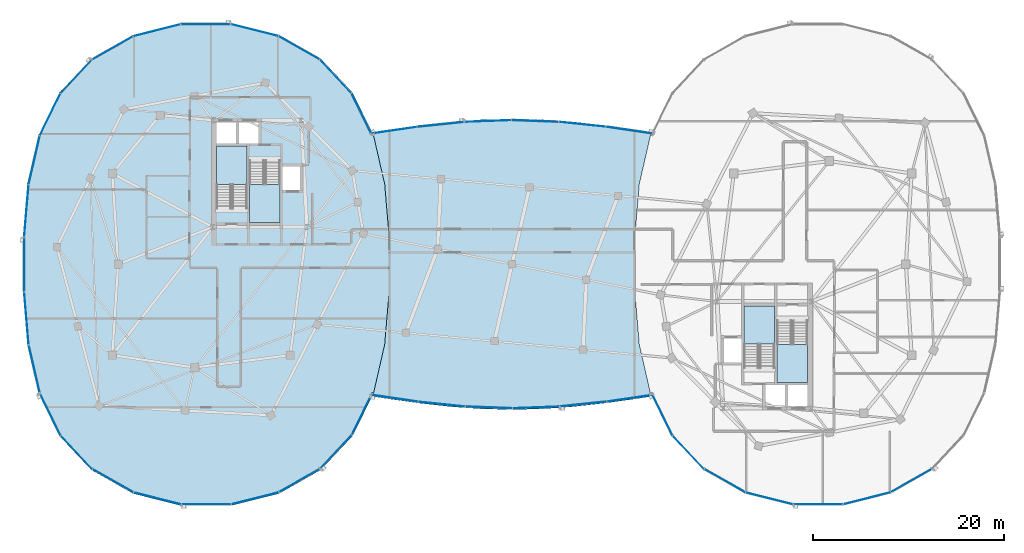
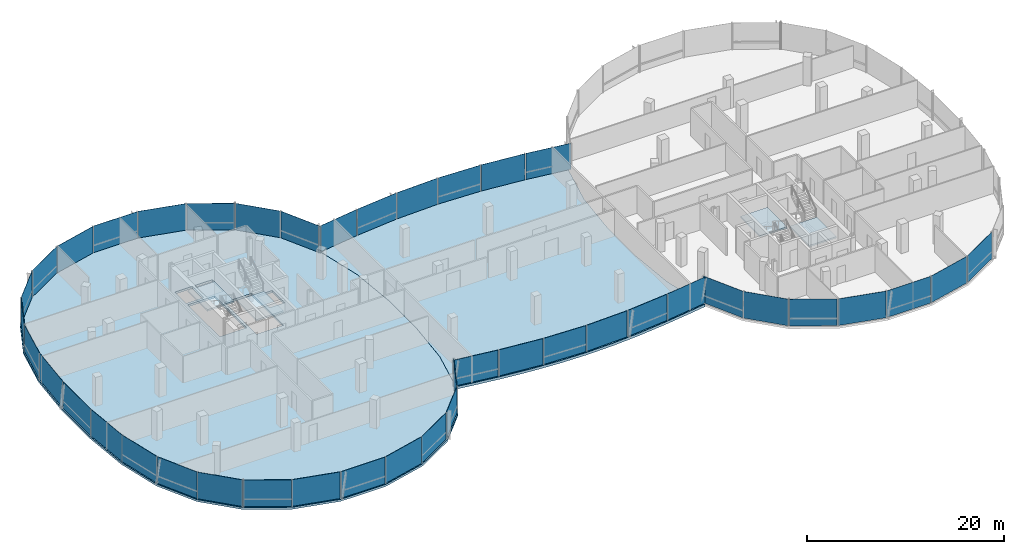
# One storey, part 12 of 26: 42 plates, 6 slabs, 11 elements without a shape of their own.
"""IFC4 building model written with IfcOpenShell, lengths in metres."""

import ifcopenshell
import ifcopenshell.guid

model = None  # the IFC model being written
_history = None  # IfcOwnerHistory: only IFC2X3 demands one
_inside = {}  # id of a spatial element -> (the spatial element, [elements in it])
_under = {}  # id of a project, library or spatial element -> (it, [spatial elements below it])
_declared = {}  # id of a project -> (the project, [libraries it declares])
_typed = {}  # id of a type object -> (the type object, [elements of that type])
_made_of = {}  # id of a material, layer set ... -> (it, [elements and type objects made of it])


def new_model(schema):
    """Start an empty IFC model of exactly this schema.

    Asked for "IFC4X3", IfcOpenShell would pick the latest addendum, in which some entities
    have other attributes; the version numbers below select the first issue.
    IFC2X3 requires an IfcOwnerHistory on every rooted entity: one is made here for all.
    """
    global model, _history
    if schema == "IFC4X3":
        model = ifcopenshell.file(schema_version=(4, 3, 0, 0))
    else:
        model = ifcopenshell.file(schema=schema)
    _inside.clear()
    _under.clear()
    _declared.clear()
    _typed.clear()
    _made_of.clear()
    _history = None
    if model.schema == "IFC2X3":
        org = make("IfcOrganization", Name="unknown")
        user = make(
            "IfcPersonAndOrganization",
            ThePerson=make("IfcPerson", FamilyName="unknown"),
            TheOrganization=org,
        )
        app = make(
            "IfcApplication",
            ApplicationDeveloper=org,
            Version="unknown",
            ApplicationFullName="unknown",
            ApplicationIdentifier="unknown",
        )
        _history = make(
            "IfcOwnerHistory",
            OwningUser=user,
            OwningApplication=app,
            ChangeAction="ADDED",
            CreationDate=0,
        )
    return model


def make(cls, **values):
    """One entity of the class cls with the attributes given. An attribute that is None is left unset."""
    return model.create_entity(
        cls, **{name: value for name, value in values.items() if value is not None}
    )


def rooted(cls, **values):
    """An entity with a GlobalId (a new one), such as an element, a storey or a relation."""
    return make(cls, GlobalId=ifcopenshell.guid.new(), OwnerHistory=_history, **values)


def si_unit(unit_type, name, prefix=None):
    """IfcSIUnit, for example si_unit("LENGTHUNIT", "METRE", prefix="MILLI")."""
    return make("IfcSIUnit", UnitType=unit_type, Prefix=prefix, Name=name)


def assignment(units):
    """IfcUnitAssignment: the units of a project."""
    return None if units is None else make("IfcUnitAssignment", Units=units)


def point(xyz):
    """IfcCartesianPoint."""
    return None if xyz is None else make("IfcCartesianPoint", Coordinates=xyz)


def direction(xyz):
    """IfcDirection."""
    return None if xyz is None else make("IfcDirection", DirectionRatios=xyz)


def frame(location, z_axis=None, x_axis=None):
    """IfcAxis2Placement3D, a coordinate frame: its origin and axes. An axis left out is left unset."""
    return make(
        "IfcAxis2Placement3D",
        Location=point(location),
        Axis=direction(z_axis),
        RefDirection=direction(x_axis),
    )


def frame_2d(location, x_axis=None):
    """IfcAxis2Placement2D, a coordinate frame in the plane: its origin and x axis."""
    return make(
        "IfcAxis2Placement2D", Location=point(location), RefDirection=direction(x_axis)
    )


def origin():
    """The frame at (0, 0, 0) with its axes left unset."""
    return frame((0.0, 0.0, 0.0))


def origin_2d():
    """The frame at (0, 0) in the plane with its x axis left unset."""
    return frame_2d((0.0, 0.0))


def place(relative_to, where):
    """IfcLocalPlacement: puts the frame where relative to a parent placement (None: the world)."""
    return make(
        "IfcLocalPlacement", PlacementRelTo=relative_to, RelativePlacement=where
    )


def context(
    kind, dimensions, precision=None, world=None, true_north=None, identifier=None
):
    """IfcGeometricRepresentationContext, for example the 3D "Model" context."""
    return make(
        "IfcGeometricRepresentationContext",
        ContextIdentifier=identifier,
        ContextType=kind,
        CoordinateSpaceDimension=dimensions,
        Precision=precision,
        WorldCoordinateSystem=world,
        TrueNorth=true_north,
    )


def subcontext(parent, identifier, kind, view, scale=None):
    """IfcGeometricRepresentationSubContext, for example "Body" below "Model"."""
    return make(
        "IfcGeometricRepresentationSubContext",
        ContextIdentifier=identifier,
        ContextType=kind,
        ParentContext=parent,
        TargetScale=scale,
        TargetView=view,
    )


def project(units=None, contexts=None):
    """IfcProject with its units and contexts."""
    return rooted(
        "IfcProject",
        Name="project",
        RepresentationContexts=contexts,
        UnitsInContext=assignment(units),
    )


def spatial(cls, under=None, at=None, **own):
    """A site, building, storey or space (cls), placed at a placement, below another one or the project."""
    s = rooted(cls, ObjectPlacement=at, **own)
    if under is not None:
        _under.setdefault(under.id(), (under, []))[1].append(s)
    return s


def polyline(points):
    """IfcPolyline through the points."""
    return make("IfcPolyline", Points=[point(p) for p in points])


def profile(cls, at=None, kind="AREA", **sizes):
    """A parametric profile (cls). Its sizes go by their IFC names, for example OverallWidth=200.0."""
    return make(cls, ProfileType=kind, Position=at, **sizes)


def rectangle(**sizes):
    """IfcRectangleProfileDef."""
    return profile("IfcRectangleProfileDef", **sizes)


def outline(outer, holes=None, kind="AREA"):
    """IfcArbitraryClosedProfileDef: a profile drawn as a closed curve; with holes, ...WithVoids."""
    if holes is None:
        return make("IfcArbitraryClosedProfileDef", ProfileType=kind, OuterCurve=outer)
    return make(
        "IfcArbitraryProfileDefWithVoids",
        ProfileType=kind,
        OuterCurve=outer,
        InnerCurves=holes,
    )


def extrude(swept, where, along, depth):
    """IfcExtrudedAreaSolid: the profile swept, set in the frame where, extruded along a direction by depth."""
    return make(
        "IfcExtrudedAreaSolid",
        SweptArea=swept,
        Position=where,
        ExtrudedDirection=direction(along),
        Depth=depth,
    )


def shape(context_of_items, identifier, shape_type, items):
    """IfcShapeRepresentation: the items that make up one representation, for example the "Body"."""
    return make(
        "IfcShapeRepresentation",
        ContextOfItems=context_of_items,
        RepresentationIdentifier=identifier,
        RepresentationType=shape_type,
        Items=items,
    )


def material(Name=None, Category=None):
    """IfcMaterial."""
    return make("IfcMaterial", Name=Name, Category=Category)


def layer(
    of_material, thickness, ventilated=None, Name=None, Category=None, Priority=None
):
    """IfcMaterialLayer: one layer of a wall or slab, of a material (None: an air gap)."""
    return make(
        "IfcMaterialLayer",
        Material=of_material,
        LayerThickness=thickness,
        IsVentilated=ventilated,
        Name=Name,
        Category=Category,
        Priority=Priority,
    )


def layer_set(layers, Name=None):
    """IfcMaterialLayerSet."""
    return make("IfcMaterialLayerSet", MaterialLayers=layers, LayerSetName=Name)


def made_of(thing, what):
    """Note that an element or type object is made of a material, layer set ...; save() writes the relation."""
    if what is not None:
        _made_of.setdefault(what.id(), (what, []))[1].append(thing)
    return thing


def type_object(cls, material=None, **own):
    """A type object (cls), such as IfcWallType, which elements share."""
    return made_of(rooted(cls, **own), material)


def element(
    cls,
    number,
    at=None,
    inside=None,
    cuts=None,
    type_object=None,
    material=None,
    context=None,
    identifier="Body",
    shape_type=None,
    held_by="IfcProductDefinitionShape",
    body=None,
    shapes=None,
    **own,
):
    """One element of the class cls, such as IfcWall. Its Tag is "e" and its number.

    at: its placement. inside: the storey or other place that contains it. cuts: it is an
    opening in that element (IfcRelVoidsElement). A single representation is given by context,
    identifier, shape_type and body (its items); several are given by shapes. held_by: the class
    of the entity that holds the representations. save() writes the other relations.
    """
    e = rooted(cls, Tag="e%d" % number, ObjectPlacement=at, **own)
    if body is not None:
        shapes = [shape(context, identifier, shape_type, body)]
    if shapes is not None:
        e.Representation = make(held_by, Representations=shapes)
    if inside is not None:
        _inside.setdefault(inside.id(), (inside, []))[1].append(e)
    if cuts is not None:
        rooted(
            "IfcRelVoidsElement", RelatingBuildingElement=cuts, RelatedOpeningElement=e
        )
    if type_object is not None:
        _typed.setdefault(type_object.id(), (type_object, []))[1].append(e)
    return made_of(e, material)


def aggregate(whole, parts):
    """IfcRelAggregates: a whole, such as a stair, and the parts it consists of."""
    return rooted("IfcRelAggregates", RelatingObject=whole, RelatedObjects=parts)


def save(model, path):
    """Write the relations noted so far, then the file.

    IfcRelAggregates (storeys below a building ...), IfcRelContainedInSpatialStructure (elements
    in a storey), IfcRelDefinesByType, IfcRelAssociatesMaterial and IfcRelDeclares: one each for
    every whole, place, type object, material and project.
    """
    for whole, parts in _under.values():
        aggregate(whole, parts)
    for where, things in _inside.values():
        rooted(
            "IfcRelContainedInSpatialStructure",
            RelatedElements=things,
            RelatingStructure=where,
        )
    for kind, things in _typed.values():
        rooted("IfcRelDefinesByType", RelatedObjects=things, RelatingType=kind)
    for what, things in _made_of.values():
        rooted("IfcRelAssociatesMaterial", RelatedObjects=things, RelatingMaterial=what)
    for by, libraries in _declared.values():
        rooted("IfcRelDeclares", RelatingContext=by, RelatedDefinitions=libraries)
    model.write(path)


model = new_model("IFC4")

# Units and contexts
model_context = context("Model", 3, precision=1e-05, world=origin(), true_north=direction((0.0, 1.0)))
body_context = subcontext(model_context, "Body", "Model", "MODEL_VIEW")
ifc_project = project(units=[si_unit("LENGTHUNIT", "METRE"), si_unit("AREAUNIT", "SQUARE_METRE"), si_unit("VOLUMEUNIT", "CUBIC_METRE"), si_unit("PLANEANGLEUNIT", "RADIAN"), si_unit("MASSUNIT", "GRAM", prefix="KILO"), si_unit("THERMODYNAMICTEMPERATUREUNIT", "KELVIN"), si_unit("POWERUNIT", "WATT")], contexts=[model_context])

# Site, building, storey
site_placement = place(None, origin())
site = spatial("IfcSite", under=ifc_project, at=site_placement, CompositionType="ELEMENT")
building_placement = place(site_placement, origin())
building = spatial("IfcBuilding", under=site, at=building_placement, Name="Cundina Bronze Exchange", CompositionType="ELEMENT")
storey_placement = place(building_placement, frame((0.0, 0.0, 261.199951171875)))
storey = spatial("IfcBuildingStorey", under=building, at=storey_placement, Name="L69", CompositionType="ELEMENT", Elevation=261.199951171875)

# Curtain wall, plates
ifc_material_1 = material(Name="Anodised Bronze Aluminium 6063-T6", Category="aluminium")
curtain_wall_type = type_object("IfcCurtainWallType", Name="CWS-SKG-BRG", PredefinedType="NOTDEFINED", material=ifc_material_1)
curtain_wall_1_placement = place(storey_placement, origin())
curtain_wall_1 = element("IfcCurtainWall", 1, at=curtain_wall_1_placement, inside=storey, type_object=curtain_wall_type, Name="L69 CW-06 Curtain Wall Run CWR-L69-W1", PredefinedType="NOTDEFINED")
ifc_material_2 = material(Name="Heat-Strengthened Solar-Control Bronze Safety Glass 28mm", Category="glass")
ifc_layer_1 = layer(ifc_material_2, 0.028076171875, Name="Heat-Strengthened Solar-Control Bronze Safety Glass 28mm", Category="glass")
ifc_layer_set_1 = layer_set([ifc_layer_1], Name="Heat-Strengthened Solar-Control Bronze Safety Glass 28mm")
plate_type_1 = type_object("IfcPlateType", Name="PLT-GLZ-VIS28", PredefinedType="CURTAIN_PANEL", material=ifc_layer_set_1)
plate_1_placement = place(storey_placement, frame((-18.431884765625, 19.64501953125, 0.02001953125), z_axis=(0.0, 0.0, 1.0), x_axis=(-0.684343512797, 0.72915976061, 0.0)))
plate_1 = element("IfcPlate", 2, at=plate_1_placement, type_object=plate_type_1, Name="CW-06 Glazed Panel 2", PredefinedType="CURTAIN_PANEL", context=body_context, shape_type="SweptSolid", body=[
    extrude(rectangle(XDim=4.773193359375, YDim=0.028076171875, at=origin_2d()), origin(), (0.0, 0.0, 1.0), 3.300048828125),
])
plate_2_placement = place(storey_placement, frame((-22.23828125, 22.6279296875, 0.02001953125), z_axis=(0.0, 0.0, 1.0), x_axis=(-0.869572506985, 0.493805280547, 0.0)))
plate_2 = element("IfcPlate", 3, at=plate_2_placement, type_object=plate_type_1, Name="CW-06 Glazed Panel 3", PredefinedType="CURTAIN_PANEL", context=body_context, shape_type="SweptSolid", body=[
    extrude(rectangle(XDim=4.907958984375, YDim=0.028076171875, at=origin_2d()), origin(), (0.0, 0.0, 1.0), 3.300048828125),
])
plate_3_placement = place(storey_placement, frame((-26.890625, 24.4814453125, 0.02001953125), z_axis=(0.0, 0.0, 1.0), x_axis=(-0.969731542251, 0.244173577528, 0.0)))
plate_3 = element("IfcPlate", 4, at=plate_3_placement, type_object=plate_type_1, Name="CW-06 Glazed Panel 4", PredefinedType="CURTAIN_PANEL", context=body_context, shape_type="SweptSolid", body=[
    extrude(rectangle(XDim=5.0908203125, YDim=0.028076171875, at=origin_2d()), origin(), (0.0, 0.0, 1.0), 3.300048828125),
])
plate_4_placement = place(storey_placement, frame((-32.0, 25.110107421875, 0.02001953125), z_axis=(0.0, 0.0, 1.0), x_axis=(-1.0, 0.0, 0.0)))
plate_4 = element("IfcPlate", 5, at=plate_4_placement, type_object=plate_type_1, Name="CW-06 Glazed Panel 5", PredefinedType="CURTAIN_PANEL", context=body_context, shape_type="SweptSolid", body=[
    extrude(rectangle(XDim=5.16796875, YDim=0.028076171875, at=origin_2d()), origin(), (0.0, 0.0, 1.0), 3.300048828125),
])
plate_5_placement = place(storey_placement, frame((-41.76171875, 22.6279296875, 0.02001953125), z_axis=(0.0, 0.0, 1.0), x_axis=(-0.869572506985, -0.493805280547, 0.0)))
plate_5 = element("IfcPlate", 6, at=plate_5_placement, type_object=plate_type_1, Name="CW-06 Glazed Panel 7", PredefinedType="CURTAIN_PANEL", context=body_context, shape_type="SweptSolid", body=[
    extrude(rectangle(XDim=4.907958984375, YDim=0.028076171875, at=origin_2d()), origin(), (0.0, 0.0, 1.0), 3.300048828125),
])

curtain_wall_2_placement = place(storey_placement, origin())
curtain_wall_2 = element("IfcCurtainWall", 7, at=curtain_wall_2_placement, inside=storey, type_object=curtain_wall_type, Name="L69 CW-06 Curtain Wall Run CWR-L69-W2", PredefinedType="NOTDEFINED")
plate_6_placement = place(storey_placement, frame((-45.568115234375, 19.64501953125, 0.02001953125), z_axis=(0.0, 0.0, 1.0), x_axis=(-0.684343512797, -0.72915976061, 0.0)))
plate_6 = element("IfcPlate", 8, at=plate_6_placement, type_object=plate_type_1, Name="CW-06 Glazed Panel 1", PredefinedType="CURTAIN_PANEL", context=body_context, shape_type="SweptSolid", body=[
    extrude(rectangle(XDim=4.773193359375, YDim=0.028076171875, at=origin_2d()), origin(), (0.0, 0.0, 1.0), 3.300048828125),
])
plate_7_placement = place(storey_placement, frame((-48.30126953125, 15.68017578125, 0.02001953125), z_axis=(0.0, 0.0, 1.0), x_axis=(-0.440503330345, -0.897750976582, 0.0)))
plate_7 = element("IfcPlate", 9, at=plate_7_placement, type_object=plate_type_1, Name="CW-06 Glazed Panel 2", PredefinedType="CURTAIN_PANEL", context=body_context, shape_type="SweptSolid", body=[
    extrude(rectangle(XDim=4.863525390625, YDim=0.028076171875, at=origin_2d()), origin(), (0.0, 0.0, 1.0), 3.300048828125),
])
plate_8_placement = place(storey_placement, frame((-49.96923828125, 10.922607421875, 0.02001953125), z_axis=(0.0, 0.0, 1.0), x_axis=(-0.223284141459, -0.974753400698, 0.0)))
plate_8 = element("IfcPlate", 10, at=plate_8_placement, type_object=plate_type_1, Name="CW-06 Glazed Panel 3", PredefinedType="CURTAIN_PANEL", context=body_context, shape_type="SweptSolid", body=[
    extrude(rectangle(XDim=5.167724609375, YDim=0.028076171875, at=origin_2d()), origin(), (0.0, 0.0, 1.0), 3.300048828125),
])
plate_9_placement = place(storey_placement, frame((-50.78662109375, 5.605712890625, 0.02001953125), z_axis=(0.0, 0.0, 1.0), x_axis=(-0.083747411454, -0.996487015006, 0.0)))
plate_9 = element("IfcPlate", 11, at=plate_9_placement, type_object=plate_type_1, Name="CW-06 Glazed Panel 4", PredefinedType="CURTAIN_PANEL", context=body_context, shape_type="SweptSolid", body=[
    extrude(rectangle(XDim=5.474609375, YDim=0.028076171875, at=origin_2d()), origin(), (0.0, 0.0, 1.0), 3.300048828125),
])
plate_10_placement = place(storey_placement, frame((-50.78662109375, -5.605712890625, 0.02001953125), z_axis=(0.0, 0.0, 1.0), x_axis=(0.083747411454, -0.996487015006, 0.0)))
plate_10 = element("IfcPlate", 12, at=plate_10_placement, type_object=plate_type_1, Name="CW-06 Glazed Panel 6", PredefinedType="CURTAIN_PANEL", context=body_context, shape_type="SweptSolid", body=[
    extrude(rectangle(XDim=5.474609375, YDim=0.028076171875, at=origin_2d()), origin(), (0.0, 0.0, 1.0), 3.300048828125),
])
plate_11_placement = place(storey_placement, frame((-49.96923828125, -10.922607421875, 0.02001953125), z_axis=(0.0, 0.0, 1.0), x_axis=(0.223284141459, -0.974753400698, 0.0)))
plate_11 = element("IfcPlate", 13, at=plate_11_placement, type_object=plate_type_1, Name="CW-06 Glazed Panel 7", PredefinedType="CURTAIN_PANEL", context=body_context, shape_type="SweptSolid", body=[
    extrude(rectangle(XDim=5.167724609375, YDim=0.028076171875, at=origin_2d()), origin(), (0.0, 0.0, 1.0), 3.300048828125),
])

curtain_wall_3_placement = place(storey_placement, origin())
curtain_wall_3 = element("IfcCurtainWall", 14, at=curtain_wall_3_placement, inside=storey, type_object=curtain_wall_type, Name="L69 CW-06 Curtain Wall Run CWR-L69-W3", PredefinedType="NOTDEFINED")
plate_12_placement = place(storey_placement, frame((-48.30126953125, -15.68017578125, 0.02001953125), z_axis=(0.0, 0.0, 1.0), x_axis=(0.440503330345, -0.897750976582, 0.0)))
plate_12 = element("IfcPlate", 15, at=plate_12_placement, type_object=plate_type_1, Name="CW-06 Glazed Panel 1", PredefinedType="CURTAIN_PANEL", context=body_context, shape_type="SweptSolid", body=[
    extrude(rectangle(XDim=4.863525390625, YDim=0.028076171875, at=origin_2d()), origin(), (0.0, 0.0, 1.0), 3.300048828125),
])
plate_13_placement = place(storey_placement, frame((-45.568115234375, -19.64501953125, 0.02001953125), z_axis=(0.0, 0.0, 1.0), x_axis=(0.684343512797, -0.72915976061, 0.0)))
plate_13 = element("IfcPlate", 16, at=plate_13_placement, type_object=plate_type_1, Name="CW-06 Glazed Panel 2", PredefinedType="CURTAIN_PANEL", context=body_context, shape_type="SweptSolid", body=[
    extrude(rectangle(XDim=4.773193359375, YDim=0.028076171875, at=origin_2d()), origin(), (0.0, 0.0, 1.0), 3.300048828125),
])
plate_14_placement = place(storey_placement, frame((-41.76171875, -22.6279296875, 0.02001953125), z_axis=(0.0, 0.0, 1.0), x_axis=(0.869572506985, -0.493805280547, 0.0)))
plate_14 = element("IfcPlate", 17, at=plate_14_placement, type_object=plate_type_1, Name="CW-06 Glazed Panel 3", PredefinedType="CURTAIN_PANEL", context=body_context, shape_type="SweptSolid", body=[
    extrude(rectangle(XDim=4.907958984375, YDim=0.028076171875, at=origin_2d()), origin(), (0.0, 0.0, 1.0), 3.300048828125),
])
plate_15_placement = place(storey_placement, frame((-32.0, -25.110107421875, 0.02001953125), z_axis=(0.0, 0.0, 1.0), x_axis=(1.0, 0.0, 0.0)))
plate_15 = element("IfcPlate", 18, at=plate_15_placement, type_object=plate_type_1, Name="CW-06 Glazed Panel 5", PredefinedType="CURTAIN_PANEL", context=body_context, shape_type="SweptSolid", body=[
    extrude(rectangle(XDim=5.16796875, YDim=0.028076171875, at=origin_2d()), origin(), (0.0, 0.0, 1.0), 3.300048828125),
])
plate_16_placement = place(storey_placement, frame((-26.890625, -24.4814453125, 0.02001953125), z_axis=(0.0, 0.0, 1.0), x_axis=(0.969731542251, 0.244173577528, 0.0)))
plate_16 = element("IfcPlate", 19, at=plate_16_placement, type_object=plate_type_1, Name="CW-06 Glazed Panel 6", PredefinedType="CURTAIN_PANEL", context=body_context, shape_type="SweptSolid", body=[
    extrude(rectangle(XDim=5.0908203125, YDim=0.028076171875, at=origin_2d()), origin(), (0.0, 0.0, 1.0), 3.300048828125),
])
plate_17_placement = place(storey_placement, frame((-22.23828125, -22.6279296875, 0.02001953125), z_axis=(0.0, 0.0, 1.0), x_axis=(0.869572506985, 0.493805280547, 0.0)))
plate_17 = element("IfcPlate", 20, at=plate_17_placement, type_object=plate_type_1, Name="CW-06 Glazed Panel 7", PredefinedType="CURTAIN_PANEL", context=body_context, shape_type="SweptSolid", body=[
    extrude(rectangle(XDim=4.907958984375, YDim=0.028076171875, at=origin_2d()), origin(), (0.0, 0.0, 1.0), 3.300048828125),
])

curtain_wall_4_placement = place(storey_placement, origin())
curtain_wall_4 = element("IfcCurtainWall", 21, at=curtain_wall_4_placement, inside=storey, type_object=curtain_wall_type, Name="L69 CW-06 Curtain Wall Run CWR-L69-W4", PredefinedType="NOTDEFINED")
plate_18_placement = place(storey_placement, frame((-18.431884765625, -19.64501953125, 0.02001953125), z_axis=(0.0, 0.0, 1.0), x_axis=(0.684343512797, 0.72915976061, 0.0)))
plate_18 = element("IfcPlate", 22, at=plate_18_placement, type_object=plate_type_1, Name="CW-06 Glazed Panel 1", PredefinedType="CURTAIN_PANEL", context=body_context, shape_type="SweptSolid", body=[
    extrude(rectangle(XDim=4.773193359375, YDim=0.028076171875, at=origin_2d()), origin(), (0.0, 0.0, 1.0), 3.300048828125),
])
plate_19_placement = place(storey_placement, frame((-15.69873046875, -15.68017578125, 0.02001953125), z_axis=(0.0, 0.0, 1.0), x_axis=(0.440503330345, 0.897750976582, 0.0)))
plate_19 = element("IfcPlate", 23, at=plate_19_placement, type_object=plate_type_1, Name="CW-06 Glazed Panel 2", PredefinedType="CURTAIN_PANEL", context=body_context, shape_type="SweptSolid", body=[
    extrude(rectangle(XDim=4.863525390625, YDim=0.028076171875, at=origin_2d()), origin(), (0.0, 0.0, 1.0), 3.300048828125),
])
aggregate(curtain_wall_4, [plate_18, plate_19])

curtain_wall_5_placement = place(storey_placement, origin())
curtain_wall_5 = element("IfcCurtainWall", 24, at=curtain_wall_5_placement, inside=storey, type_object=curtain_wall_type, Name="L69 CW-06 Curtain Wall Run CWR-L69-E3", PredefinedType="NOTDEFINED")
plate_20_placement = place(storey_placement, frame((15.69873046875, -15.68017578125, 0.02001953125), z_axis=(0.0, 0.0, 1.0), x_axis=(0.440503330345, -0.897750976582, 0.0)))
plate_20 = element("IfcPlate", 25, at=plate_20_placement, type_object=plate_type_1, Name="CW-06 Glazed Panel 1", PredefinedType="CURTAIN_PANEL", context=body_context, shape_type="SweptSolid", body=[
    extrude(rectangle(XDim=4.863525390625, YDim=0.028076171875, at=origin_2d()), origin(), (0.0, 0.0, 1.0), 3.300048828125),
])
plate_21_placement = place(storey_placement, frame((18.431884765625, -19.64501953125, 0.02001953125), z_axis=(0.0, 0.0, 1.0), x_axis=(0.684343512797, -0.72915976061, 0.0)))
plate_21 = element("IfcPlate", 26, at=plate_21_placement, type_object=plate_type_1, Name="CW-06 Glazed Panel 2", PredefinedType="CURTAIN_PANEL", context=body_context, shape_type="SweptSolid", body=[
    extrude(rectangle(XDim=4.773193359375, YDim=0.028076171875, at=origin_2d()), origin(), (0.0, 0.0, 1.0), 3.300048828125),
])
plate_22_placement = place(storey_placement, frame((22.23828125, -22.6279296875, 0.02001953125), z_axis=(0.0, 0.0, 1.0), x_axis=(0.869572506985, -0.493805280547, 0.0)))
plate_22 = element("IfcPlate", 27, at=plate_22_placement, type_object=plate_type_1, Name="CW-06 Glazed Panel 3", PredefinedType="CURTAIN_PANEL", context=body_context, shape_type="SweptSolid", body=[
    extrude(rectangle(XDim=4.907958984375, YDim=0.028076171875, at=origin_2d()), origin(), (0.0, 0.0, 1.0), 3.300048828125),
])
plate_23_placement = place(storey_placement, frame((32.0, -25.110107421875, 0.02001953125), z_axis=(0.0, 0.0, 1.0), x_axis=(1.0, 0.0, 0.0)))
plate_23 = element("IfcPlate", 28, at=plate_23_placement, type_object=plate_type_1, Name="CW-06 Glazed Panel 5", PredefinedType="CURTAIN_PANEL", context=body_context, shape_type="SweptSolid", body=[
    extrude(rectangle(XDim=5.16796875, YDim=0.028076171875, at=origin_2d()), origin(), (0.0, 0.0, 1.0), 3.300048828125),
])
plate_24_placement = place(storey_placement, frame((37.109375, -24.4814453125, 0.02001953125), z_axis=(0.0, 0.0, 1.0), x_axis=(0.969731542251, 0.244173577528, 0.0)))
plate_24 = element("IfcPlate", 29, at=plate_24_placement, type_object=plate_type_1, Name="CW-06 Glazed Panel 6", PredefinedType="CURTAIN_PANEL", context=body_context, shape_type="SweptSolid", body=[
    extrude(rectangle(XDim=5.0908203125, YDim=0.028076171875, at=origin_2d()), origin(), (0.0, 0.0, 1.0), 3.300048828125),
])
plate_25_placement = place(storey_placement, frame((41.76171875, -22.6279296875, 0.02001953125), z_axis=(0.0, 0.0, 1.0), x_axis=(0.869572506985, 0.493805280547, 0.0)))
plate_25 = element("IfcPlate", 30, at=plate_25_placement, type_object=plate_type_1, Name="CW-06 Glazed Panel 7", PredefinedType="CURTAIN_PANEL", context=body_context, shape_type="SweptSolid", body=[
    extrude(rectangle(XDim=4.907958984375, YDim=0.028076171875, at=origin_2d()), origin(), (0.0, 0.0, 1.0), 3.300048828125),
])

curtain_wall_6_placement = place(storey_placement, origin())
curtain_wall_6 = element("IfcCurtainWall", 31, at=curtain_wall_6_placement, inside=storey, type_object=curtain_wall_type, Name="L69 CW-06 Curtain Wall Run CWR-L69-BRGS", PredefinedType="NOTDEFINED")
plate_26_placement = place(storey_placement, frame((-12.356201171875, -14.012451171875, 0.02001953125), z_axis=(0.0, 0.0, 1.0), x_axis=(0.989528308409, -0.144338930496, 0.0)))
plate_26 = element("IfcPlate", 32, at=plate_26_placement, type_object=plate_type_1, Name="CW-06 Glazed Panel 1", PredefinedType="CURTAIN_PANEL", context=body_context, shape_type="SweptSolid", body=[
    extrude(rectangle(XDim=4.912353515625, YDim=0.028076171875, at=origin_2d()), origin(), (0.0, 0.0, 1.0), 3.239990234375),
])
plate_27_placement = place(storey_placement, frame((-2.47021484375, -14.9775390625, 0.02001953125), z_axis=(0.0, 0.0, 1.0), x_axis=(0.999302568116, -0.037341362551, 0.0)))
plate_27 = element("IfcPlate", 33, at=plate_27_placement, type_object=plate_type_1, Name="CW-06 Glazed Panel 3", PredefinedType="CURTAIN_PANEL", context=body_context, shape_type="SweptSolid", body=[
    extrude(rectangle(XDim=4.863525390625, YDim=0.028076171875, at=origin_2d()), origin(), (0.0, 0.0, 1.0), 3.239990234375),
])
plate_28_placement = place(storey_placement, frame((2.47021484375, -14.9775390625, 0.02001953125), z_axis=(0.0, 0.0, 1.0), x_axis=(0.999302568116, 0.037341362551, 0.0)))
plate_28 = element("IfcPlate", 34, at=plate_28_placement, type_object=plate_type_1, Name="CW-06 Glazed Panel 4", PredefinedType="CURTAIN_PANEL", context=body_context, shape_type="SweptSolid", body=[
    extrude(rectangle(XDim=4.863525390625, YDim=0.028076171875, at=origin_2d()), origin(), (0.0, 0.0, 1.0), 3.239990234375),
])
plate_29_placement = place(storey_placement, frame((7.41162109375, -14.629150390625, 0.02001953125), z_axis=(0.0, 0.0, 1.0), x_axis=(0.994672274174, 0.103087666525, 0.0)))
plate_29 = element("IfcPlate", 35, at=plate_29_placement, type_object=plate_type_1, Name="CW-06 Glazed Panel 5", PredefinedType="CURTAIN_PANEL", context=body_context, shape_type="SweptSolid", body=[
    extrude(rectangle(XDim=4.886474609375, YDim=0.028076171875, at=origin_2d()), origin(), (0.0, 0.0, 1.0), 3.239990234375),
])
plate_30_placement = place(storey_placement, frame((12.356201171875, -14.012451171875, 0.02001953125), z_axis=(0.0, 0.0, 1.0), x_axis=(0.989528308409, 0.144338930496, 0.0)))
plate_30 = element("IfcPlate", 36, at=plate_30_placement, type_object=plate_type_1, Name="CW-06 Glazed Panel 6", PredefinedType="CURTAIN_PANEL", context=body_context, shape_type="SweptSolid", body=[
    extrude(rectangle(XDim=4.912353515625, YDim=0.028076171875, at=origin_2d()), origin(), (0.0, 0.0, 1.0), 3.239990234375),
])

curtain_wall_7_placement = place(storey_placement, origin())
curtain_wall_7 = element("IfcCurtainWall", 37, at=curtain_wall_7_placement, inside=storey, type_object=curtain_wall_type, Name="L69 CW-06 Curtain Wall Run CWR-L69-BRGN", PredefinedType="NOTDEFINED")
plate_31_placement = place(storey_placement, frame((12.356201171875, 14.012451171875, 0.02001953125), z_axis=(0.0, 0.0, 1.0), x_axis=(-0.989528308409, 0.144338930496, 0.0)))
plate_31 = element("IfcPlate", 38, at=plate_31_placement, type_object=plate_type_1, Name="CW-06 Glazed Panel 1", PredefinedType="CURTAIN_PANEL", context=body_context, shape_type="SweptSolid", body=[
    extrude(rectangle(XDim=4.912353515625, YDim=0.028076171875, at=origin_2d()), origin(), (0.0, 0.0, 1.0), 3.239990234375),
])
plate_32_placement = place(storey_placement, frame((7.41162109375, 14.629150390625, 0.02001953125), z_axis=(0.0, 0.0, 1.0), x_axis=(-0.994672274174, 0.103087666525, 0.0)))
plate_32 = element("IfcPlate", 39, at=plate_32_placement, type_object=plate_type_1, Name="CW-06 Glazed Panel 2", PredefinedType="CURTAIN_PANEL", context=body_context, shape_type="SweptSolid", body=[
    extrude(rectangle(XDim=4.886474609375, YDim=0.028076171875, at=origin_2d()), origin(), (0.0, 0.0, 1.0), 3.239990234375),
])
plate_33_placement = place(storey_placement, frame((2.47021484375, 14.9775390625, 0.02001953125), z_axis=(0.0, 0.0, 1.0), x_axis=(-0.999302568116, 0.037341362551, 0.0)))
plate_33 = element("IfcPlate", 40, at=plate_33_placement, type_object=plate_type_1, Name="CW-06 Glazed Panel 3", PredefinedType="CURTAIN_PANEL", context=body_context, shape_type="SweptSolid", body=[
    extrude(rectangle(XDim=4.863525390625, YDim=0.028076171875, at=origin_2d()), origin(), (0.0, 0.0, 1.0), 3.239990234375),
])
plate_34_placement = place(storey_placement, frame((-7.41162109375, 14.629150390625, 0.02001953125), z_axis=(0.0, 0.0, 1.0), x_axis=(-0.994672274174, -0.103087666525, 0.0)))
plate_34 = element("IfcPlate", 41, at=plate_34_placement, type_object=plate_type_1, Name="CW-06 Glazed Panel 5", PredefinedType="CURTAIN_PANEL", context=body_context, shape_type="SweptSolid", body=[
    extrude(rectangle(XDim=4.886474609375, YDim=0.028076171875, at=origin_2d()), origin(), (0.0, 0.0, 1.0), 3.239990234375),
])
plate_35_placement = place(storey_placement, frame((-12.356201171875, 14.012451171875, 0.02001953125), z_axis=(0.0, 0.0, 1.0), x_axis=(-0.989528308409, -0.144338930496, 0.0)))
plate_35 = element("IfcPlate", 42, at=plate_35_placement, type_object=plate_type_1, Name="CW-06 Glazed Panel 6", PredefinedType="CURTAIN_PANEL", context=body_context, shape_type="SweptSolid", body=[
    extrude(rectangle(XDim=4.912353515625, YDim=0.028076171875, at=origin_2d()), origin(), (0.0, 0.0, 1.0), 3.239990234375),
])

# Plate
ifc_material_3 = material(Name="Dark Bronze Spandrel Glass Panel 32mm", Category="glass")
ifc_layer_2 = layer(ifc_material_3, 0.031982421875, Name="Dark Bronze Spandrel Glass Panel 32mm", Category="glass")
ifc_layer_set_2 = layer_set([ifc_layer_2], Name="Dark Bronze Spandrel Glass Panel 32mm")
plate_type_2 = type_object("IfcPlateType", Name="PLT-SPN-BRZ32", PredefinedType="CURTAIN_PANEL", material=ifc_layer_set_2)
plate_36_placement = place(storey_placement, frame((-15.69873046875, 15.68017578125, 0.02001953125), z_axis=(0.0, 0.0, 1.0), x_axis=(-0.440503330345, 0.897750976582, 0.0)))
plate_36 = element("IfcPlate", 43, at=plate_36_placement, type_object=plate_type_2, Name="CW-06 Glazed Panel 1", PredefinedType="CURTAIN_PANEL", context=body_context, shape_type="SweptSolid", body=[
    extrude(rectangle(XDim=4.863525390625, YDim=0.031982421875, at=origin_2d()), origin(), (0.0, 0.0, 1.0), 3.300048828125),
])

plate_37_placement = place(storey_placement, frame((-37.109375, 24.4814453125, 0.02001953125), z_axis=(0.0, 0.0, 1.0), x_axis=(-0.969731542251, -0.244173577528, 0.0)))
plate_37 = element("IfcPlate", 44, at=plate_37_placement, type_object=plate_type_2, Name="CW-06 Glazed Panel 6", PredefinedType="CURTAIN_PANEL", context=body_context, shape_type="SweptSolid", body=[
    extrude(rectangle(XDim=5.0908203125, YDim=0.031982421875, at=origin_2d()), origin(), (0.0, 0.0, 1.0), 3.300048828125),
])

aggregate(curtain_wall_1, [plate_36, plate_1, plate_2, plate_3, plate_4, plate_37, plate_5])

plate_38_placement = place(storey_placement, frame((-51.01904296875, 0.0, 0.02001953125), z_axis=(0.0, 0.0, 1.0), x_axis=(0.0, -1.0, 0.0)))
plate_38 = element("IfcPlate", 45, at=plate_38_placement, type_object=plate_type_2, Name="CW-06 Glazed Panel 5", PredefinedType="CURTAIN_PANEL", context=body_context, shape_type="SweptSolid", body=[
    extrude(rectangle(XDim=5.597900390625, YDim=0.031982421875, at=origin_2d()), origin(), (0.0, 0.0, 1.0), 3.300048828125),
])

aggregate(curtain_wall_2, [plate_6, plate_7, plate_8, plate_9, plate_38, plate_10, plate_11])

plate_39_placement = place(storey_placement, frame((-37.109375, -24.4814453125, 0.02001953125), z_axis=(0.0, 0.0, 1.0), x_axis=(0.969731542251, -0.244173577528, 0.0)))
plate_39 = element("IfcPlate", 46, at=plate_39_placement, type_object=plate_type_2, Name="CW-06 Glazed Panel 4", PredefinedType="CURTAIN_PANEL", context=body_context, shape_type="SweptSolid", body=[
    extrude(rectangle(XDim=5.0908203125, YDim=0.031982421875, at=origin_2d()), origin(), (0.0, 0.0, 1.0), 3.300048828125),
])

aggregate(curtain_wall_3, [plate_12, plate_13, plate_14, plate_39, plate_15, plate_16, plate_17])

plate_40_placement = place(storey_placement, frame((26.890625, -24.4814453125, 0.02001953125), z_axis=(0.0, 0.0, 1.0), x_axis=(0.969731542251, -0.244173577528, 0.0)))
plate_40 = element("IfcPlate", 47, at=plate_40_placement, type_object=plate_type_2, Name="CW-06 Glazed Panel 4", PredefinedType="CURTAIN_PANEL", context=body_context, shape_type="SweptSolid", body=[
    extrude(rectangle(XDim=5.0908203125, YDim=0.031982421875, at=origin_2d()), origin(), (0.0, 0.0, 1.0), 3.300048828125),
])

aggregate(curtain_wall_5, [plate_20, plate_21, plate_22, plate_40, plate_23, plate_24, plate_25])

plate_41_placement = place(storey_placement, frame((-7.41162109375, -14.629150390625, 0.02001953125), z_axis=(0.0, 0.0, 1.0), x_axis=(0.994672274174, -0.103087666525, 0.0)))
plate_41 = element("IfcPlate", 48, at=plate_41_placement, type_object=plate_type_2, Name="CW-06 Glazed Panel 2", PredefinedType="CURTAIN_PANEL", context=body_context, shape_type="SweptSolid", body=[
    extrude(rectangle(XDim=4.886474609375, YDim=0.031982421875, at=origin_2d()), origin(), (0.0, 0.0, 1.0), 3.239990234375),
])

aggregate(curtain_wall_6, [plate_26, plate_41, plate_27, plate_28, plate_29, plate_30])

plate_42_placement = place(storey_placement, frame((-2.47021484375, 14.9775390625, 0.02001953125), z_axis=(0.0, 0.0, 1.0), x_axis=(-0.999302568116, -0.037341362551, 0.0)))
plate_42 = element("IfcPlate", 49, at=plate_42_placement, type_object=plate_type_2, Name="CW-06 Glazed Panel 4", PredefinedType="CURTAIN_PANEL", context=body_context, shape_type="SweptSolid", body=[
    extrude(rectangle(XDim=4.863525390625, YDim=0.031982421875, at=origin_2d()), origin(), (0.0, 0.0, 1.0), 3.239990234375),
])

aggregate(curtain_wall_7, [plate_31, plate_32, plate_33, plate_42, plate_34, plate_35])

# Slab
ifc_material_4 = material(Name="Concrete C50/60", Category="concrete")
ifc_layer_3 = layer(ifc_material_4, 0.320068359375, Name="Concrete C50/60", Category="concrete")
ifc_layer_set_3 = layer_set([ifc_layer_3], Name="Concrete C50/60")
slab_type_1 = type_object("IfcSlabType", Name="SLB-BRG-320", PredefinedType="FLOOR", material=ifc_layer_set_3)
slab_1_placement = place(storey_placement, frame((0.0, 0.0, -0.320068359375)))
element("IfcSlab", 50, at=slab_1_placement, inside=storey, type_object=slab_type_1, Name="L69 Sky-Gate Bridge Deck Slab", PredefinedType="FLOOR", context=body_context, shape_type="SweptSolid", body=[
    extrude(outline(polyline([(12.800048828125, -14.093994140625), (9.60009765625, -14.5400390625), (6.39990234375, -14.89404296875), (3.199951171875, -15.1220703125), (0.0, -15.199951171875), (-3.199951171875, -15.1220703125), (-6.39990234375, -14.89404296875), (-9.60009765625, -14.5400390625), (-12.800048828125, -14.093994140625), (-14.634033203125, -13.81103515625), (-14.489013671875, -13.514892578125), (-14.489013671875, -13.514892578125), (-14.489013671875, -13.513916015625), (-13.31494140625, -8.388916015625), (-13.31494140625, -8.388916015625), (-12.84912109375, -2.843994140625), (-12.84912109375, -2.843994140625), (-12.84912109375, 2.843994140625), (-12.84912109375, 2.843994140625), (-13.31494140625, 8.388916015625), (-13.31494140625, 8.388916015625), (-14.489013671875, 13.513916015625), (-14.489013671875, 13.514892578125), (-14.489013671875, 13.514892578125), (-14.634033203125, 13.81103515625), (-12.800048828125, 14.093994140625), (-9.60009765625, 14.5400390625), (-6.39990234375, 14.89404296875), (-3.199951171875, 15.1220703125), (0.0, 15.199951171875), (3.199951171875, 15.1220703125), (6.39990234375, 14.89404296875), (9.60009765625, 14.5400390625), (12.800048828125, 14.093994140625), (14.634033203125, 13.81103515625), (14.489013671875, 13.514892578125), (14.489013671875, 13.514892578125), (14.489013671875, 13.513916015625), (13.31494140625, 8.388916015625), (13.31494140625, 8.388916015625), (12.84912109375, 2.843994140625), (12.84912109375, 2.843994140625), (12.84912109375, -2.843994140625), (12.84912109375, -2.843994140625), (13.31494140625, -8.388916015625), (13.31494140625, -8.388916015625), (14.489013671875, -13.513916015625), (14.489013671875, -13.514892578125), (14.489013671875, -13.514892578125), (14.634033203125, -13.81103515625), (12.800048828125, -14.093994140625)])), origin(), (0.0, 0.0, 1.0), 0.320068359375),
])

# Stair, slab
ifc_material_5 = material(Name="Concrete C40/50", Category="concrete")
stair_type = type_object("IfcStairType", Name="STR-OFF-360", PredefinedType="HALF_TURN_STAIR", material=ifc_material_5)
stair_1_placement = place(storey_placement, origin())
stair_1 = element("IfcStair", 51, at=stair_1_placement, inside=storey, type_object=stair_type, Name="L69 Smokeproof Exit Stair W1", PredefinedType="HALF_TURN_STAIR")
ifc_layer_4 = layer(ifc_material_5, 0.199951171875, Name="Concrete C40/50", Category="concrete")
ifc_layer_set_4 = layer_set([ifc_layer_4], Name="Concrete C40/50")
slab_type_2 = type_object("IfcSlabType", Name="SLB-LND-200", PredefinedType="LANDING", material=ifc_layer_set_4)
slab_2_placement = place(storey_placement, frame((0.0, 0.0, 1.60009765625)))
slab_2 = element("IfcSlab", 52, at=slab_2_placement, type_object=slab_type_2, Name="ST-W1 landing 1", PredefinedType="LANDING", context=body_context, shape_type="SweptSolid", body=[
    extrude(outline(polyline([(-27.739990234375, 8.3701171875), (-27.739990234375, 12.35009765625), (-30.89990234375, 12.35009765625), (-30.89990234375, 8.3701171875), (-27.739990234375, 8.3701171875)])), origin(), (0.0, 0.0, 1.0), 0.199951171875),
])
aggregate(stair_1, [slab_2])

stair_2_placement = place(storey_placement, origin())
stair_2 = element("IfcStair", 53, at=stair_2_placement, inside=storey, type_object=stair_type, Name="L69 Smokeproof Exit Stair W2", PredefinedType="HALF_TURN_STAIR")
slab_3_placement = place(storey_placement, frame((0.0, 0.0, 1.60009765625)))
slab_3 = element("IfcSlab", 54, at=slab_3_placement, type_object=slab_type_2, Name="ST-W2 landing 1", PredefinedType="LANDING", context=body_context, shape_type="SweptSolid", body=[
    extrude(outline(polyline([(-27.43994140625, 8.330078125), (-27.43994140625, 4.35009765625), (-24.280029296875, 4.35009765625), (-24.280029296875, 8.330078125), (-27.43994140625, 8.330078125)])), origin(), (0.0, 0.0, 1.0), 0.199951171875),
])
aggregate(stair_2, [slab_3])

stair_3_placement = place(storey_placement, origin())
stair_3 = element("IfcStair", 55, at=stair_3_placement, inside=storey, type_object=stair_type, Name="L69 Smokeproof Exit Stair E1", PredefinedType="HALF_TURN_STAIR")
slab_4_placement = place(storey_placement, frame((0.0, 0.0, 1.60009765625)))
slab_4 = element("IfcSlab", 56, at=slab_4_placement, type_object=slab_type_2, Name="ST-E1 landing 1", PredefinedType="LANDING", context=body_context, shape_type="SweptSolid", body=[
    extrude(outline(polyline([(27.739990234375, -8.3701171875), (27.739990234375, -12.35009765625), (30.89990234375, -12.35009765625), (30.89990234375, -8.3701171875), (27.739990234375, -8.3701171875)])), origin(), (0.0, 0.0, 1.0), 0.199951171875),
])
aggregate(stair_3, [slab_4])

stair_4_placement = place(storey_placement, origin())
stair_4 = element("IfcStair", 57, at=stair_4_placement, inside=storey, type_object=stair_type, Name="L69 Smokeproof Exit Stair E2", PredefinedType="HALF_TURN_STAIR")
slab_5_placement = place(storey_placement, frame((0.0, 0.0, 1.60009765625)))
slab_5 = element("IfcSlab", 58, at=slab_5_placement, type_object=slab_type_2, Name="ST-E2 landing 1", PredefinedType="LANDING", context=body_context, shape_type="SweptSolid", body=[
    extrude(outline(polyline([(27.43994140625, -8.330078125), (27.43994140625, -4.35009765625), (24.280029296875, -4.35009765625), (24.280029296875, -8.330078125), (27.43994140625, -8.330078125)])), origin(), (0.0, 0.0, 1.0), 0.199951171875),
])
aggregate(stair_4, [slab_5])

# Slab
ifc_layer_5 = layer(ifc_material_4, 0.260009765625, Name="Concrete C50/60", Category="concrete")
ifc_layer_set_5 = layer_set([ifc_layer_5], Name="Concrete C50/60")
slab_type_3 = type_object("IfcSlabType", Name="SLB-OFF-260", PredefinedType="FLOOR", material=ifc_layer_set_5)
slab_6_placement = place(storey_placement, frame((0.0, 0.0, -0.260009765625)))
element("IfcSlab", 59, at=slab_6_placement, inside=storey, type_object=slab_type_3, Name="L69 Leg W Structural Floor Slab", PredefinedType="FLOOR", context=body_context, shape_type="SweptSolid", body=[
    extrude(outline(polyline([(-12.85107421875, 2.843994140625), (-13.31689453125, 8.388916015625), (-14.490966796875, 13.513916015625), (-16.673095703125, 17.9609375), (-20.0009765625, 21.507080078125), (-24.346923828125, 23.97509765625), (-29.37109375, 25.239990234375), (-34.62890625, 25.239990234375), (-39.653076171875, 23.97509765625), (-43.9990234375, 21.507080078125), (-47.326904296875, 17.9609375), (-49.509033203125, 13.513916015625), (-50.68310546875, 8.388916015625), (-51.14892578125, 2.843994140625), (-51.14892578125, -2.843994140625), (-50.68310546875, -8.388916015625), (-49.509033203125, -13.513916015625), (-47.326904296875, -17.9609375), (-43.9990234375, -21.507080078125), (-39.653076171875, -23.97509765625), (-34.62890625, -25.239990234375), (-29.37109375, -25.239990234375), (-24.346923828125, -23.97509765625), (-20.0009765625, -21.507080078125), (-16.673095703125, -17.9609375), (-14.490966796875, -13.513916015625), (-13.31689453125, -8.388916015625), (-12.85107421875, -2.843994140625), (-12.85107421875, 2.843994140625)]), holes=[polyline([(-27.739990234375, 5.85009765625), (-27.739990234375, 12.35009765625), (-30.89990234375, 12.35009765625), (-30.89990234375, 5.85009765625), (-27.739990234375, 5.85009765625)]), polyline([(-27.43994140625, 10.85009765625), (-27.43994140625, 4.35009765625), (-24.280029296875, 4.35009765625), (-24.280029296875, 10.85009765625), (-27.43994140625, 10.85009765625)]), polyline([(-23.97998046875, 10.25), (-22.179931640625, 10.25), (-22.179931640625, 7.75), (-23.97998046875, 7.75), (-23.97998046875, 10.25)]), polyline([(-30.89990234375, 14.949951171875), (-28.85009765625, 14.949951171875), (-28.85009765625, 12.64990234375), (-30.89990234375, 12.64990234375), (-30.89990234375, 14.949951171875)]), polyline([(-28.550048828125, 14.949951171875), (-26.5, 14.949951171875), (-26.5, 12.64990234375), (-28.550048828125, 12.64990234375), (-28.550048828125, 14.949951171875)])]), origin(), (0.0, 0.0, 1.0), 0.260009765625),
])

save(model, "model.ifc")
